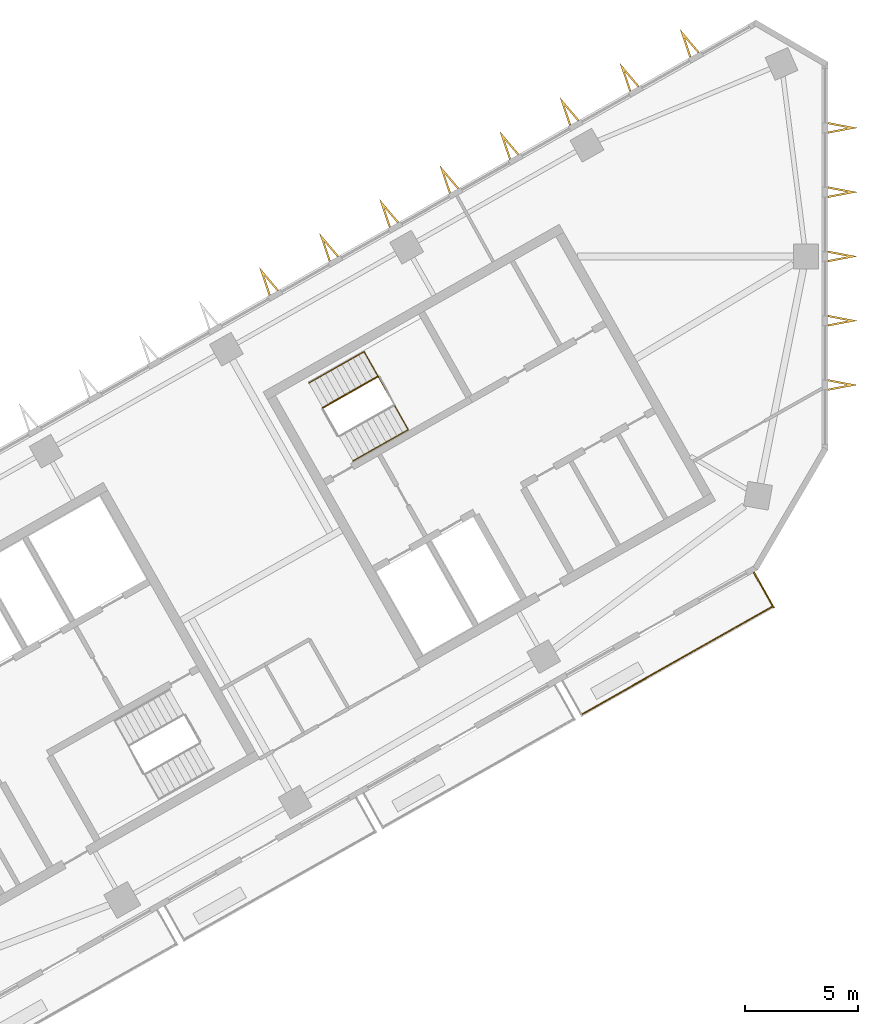
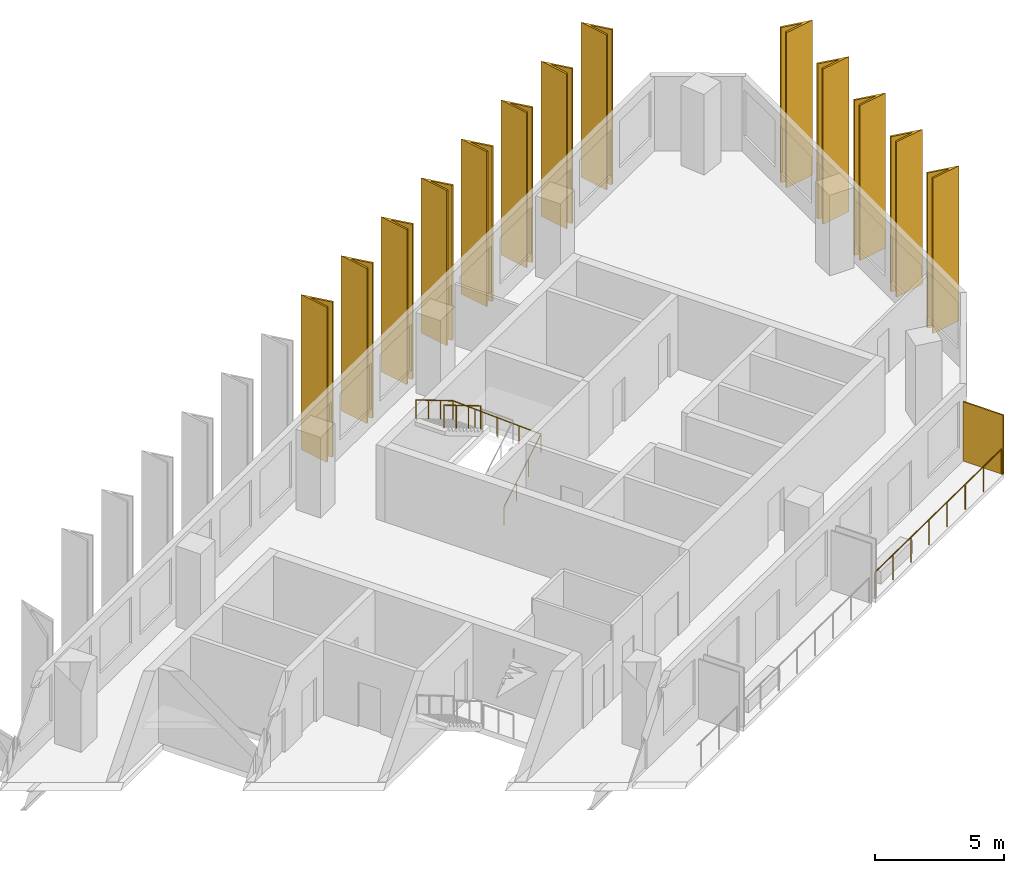
# One storey, part 7 of 8: 14 shading devices, 3 railings.
"""IFC4 building model written with IfcOpenShell, lengths in metres."""

from ifc_helpers import new_model, si_unit, direction, frame, origin, origin_2d, place, context, subcontext, project, spatial, polyline, rectangle, circle, outline, extrude, material, layer, layer_set, type_object, element, save


model = new_model("IFC4")

# Units and contexts
model_context = context("Model", 3, precision=1e-05, world=origin(), true_north=direction((0.0, 1.0)))
body_context = subcontext(model_context, "Body", "Model", "MODEL_VIEW")
ifc_project = project(units=[si_unit("LENGTHUNIT", "METRE"), si_unit("AREAUNIT", "SQUARE_METRE"), si_unit("VOLUMEUNIT", "CUBIC_METRE"), si_unit("PLANEANGLEUNIT", "RADIAN"), si_unit("MASSUNIT", "GRAM", prefix="KILO")], contexts=[model_context])

# Site, building, storey
site_placement = place(None, origin())
site = spatial("IfcSite", under=ifc_project, at=site_placement, CompositionType="ELEMENT")
building_placement = place(site_placement, origin())
building = spatial("IfcBuilding", under=site, at=building_placement, Name="Binnacle Exchange Tower", CompositionType="ELEMENT")
storey_placement = place(building_placement, frame((0.0, 0.0, 293.10009765625)))
storey = spatial("IfcBuildingStorey", under=building, at=storey_placement, Name="L65", CompositionType="ELEMENT", Elevation=293.10009765625)

# Railing
ifc_material_1 = material(Name="Bronze anodised aluminium frame", Category="aluminium")
railing_type_1 = type_object("IfcRailingType", Name="GUARD 1200", PredefinedType="GUARDRAIL", material=ifc_material_1)
railing_1_placement = place(storey_placement, frame((-10.7177734375, 39.81640625, 0.0)))
element("IfcRailing", 1, at=railing_1_placement, inside=storey, type_object=railing_type_1, Name="Balcony guard H07-B03 L65", PredefinedType="GUARDRAIL", context=body_context, shape_type="SweptSolid", body=[
    extrude(circle(Radius=0.02392578125, at=origin_2d()), frame((0.0, 0.0, 1.17578125), z_axis=(0.870353035673, 0.492428262079, 0.0), x_axis=(-0.492428262079, 0.870353035673, 0.0)), (0.0, 0.0, 1.0), 9.64794921875),
    extrude(circle(Radius=0.02099609375, at=origin_2d()), origin(), (0.0, 0.0, 1.0), 1.15185546875),
    extrude(circle(Radius=0.02099609375, at=origin_2d()), frame((1.19970703125, 0.6787109375, 0.0)), (0.0, 0.0, 1.0), 1.15185546875),
    extrude(circle(Radius=0.02099609375, at=origin_2d()), frame((2.399169921875, 1.357421875, 0.0)), (0.0, 0.0, 1.0), 1.15185546875),
    extrude(circle(Radius=0.02099609375, at=origin_2d()), frame((3.598876953125, 2.0361328125, 0.0)), (0.0, 0.0, 1.0), 1.15185546875),
    extrude(circle(Radius=0.02099609375, at=origin_2d()), frame((4.79833984375, 2.71484375, 0.0)), (0.0, 0.0, 1.0), 1.15185546875),
    extrude(circle(Radius=0.02099609375, at=origin_2d()), frame((5.998046875, 3.3935546875, 0.0)), (0.0, 0.0, 1.0), 1.15185546875),
    extrude(circle(Radius=0.02099609375, at=origin_2d()), frame((7.197509765625, 4.072265625, 0.0)), (0.0, 0.0, 1.0), 1.15185546875),
    extrude(circle(Radius=0.02099609375, at=origin_2d()), frame((8.397216796875, 4.7509765625, 0.0)), (0.0, 0.0, 1.0), 1.15185546875),
])

# Shading device
ifc_material_2 = material(Name="Bronze aluminium louvre", Category="aluminium")
ifc_layer = layer(ifc_material_2, 0.06005859375)
ifc_layer_set = layer_set([ifc_layer], Name="PLANTED SCREEN 60x2800")
shading_device_type_1 = type_object("IfcShadingDeviceType", Name="PLANTED SCREEN 60x2800", PredefinedType="USERDEFINED", material=ifc_layer_set)
shading_device_1_placement = place(storey_placement, frame((-2.697998046875, 45.2958984375, 0.0), z_axis=(0.0, 0.0, 1.0), x_axis=(0.87035569594, 0.492423560103, 0.0)))
element("IfcShadingDevice", 2, at=shading_device_1_placement, inside=storey, type_object=shading_device_type_1, Name="Planted screen H07-B03b L65", ObjectType="SCREEN", PredefinedType="USERDEFINED", context=body_context, shape_type="SweptSolid", body=[
    extrude(rectangle(XDim=0.06005859375, YDim=1.800048828125, at=origin_2d()), origin(), (0.0, 0.0, 1.0), 2.800048828125),
])

# Railings
ifc_material_3 = material(Name="Steel guard rail", Category="steel")
railing_type_2 = type_object("IfcRailingType", Name="STAIR GUARD 1100", PredefinedType="GUARDRAIL", material=ifc_material_3)
railing_2_placement = place(storey_placement, frame((-19.70068359375, 54.71337890625, 2.072509765625)))
element("IfcRailing", 3, at=railing_2_placement, inside=storey, type_object=railing_type_2, Name="L65 STC1 stair guard 2", PredefinedType="GUARDRAIL", context=body_context, shape_type="SweptSolid", body=[
    extrude(circle(Radius=0.02392578125, at=origin_2d()), frame((0.0, 0.0, 1.076171875), z_axis=(-0.740760999345, -0.419062048017, 0.525033467278), x_axis=(0.492387636113, -0.870376019777, 0.0)), (0.0, 0.0, 1.0), 3.289794921875),
    extrude(circle(Radius=0.02099609375, at=origin_2d()), origin(), (0.0, 0.0, 1.0), 1.052001953125),
    extrude(circle(Radius=0.02099609375, at=origin_2d()), frame((-0.812255859375, -0.45947265625, 0.57568359375)), (0.0, 0.0, 1.0), 1.052001953125),
    extrude(circle(Radius=0.02099609375, at=origin_2d()), frame((-1.624755859375, -0.919189453125, 1.151611328125)), (0.0, 0.0, 1.0), 1.052001953125),
    extrude(circle(Radius=0.02099609375, at=origin_2d()), frame((-2.43701171875, -1.378662109375, 1.727294921875)), (0.0, 0.0, 1.0), 1.052001953125),
])
ifc_material_4 = material(Name="Steel handrail", Category="steel")
railing_type_3 = type_object("IfcRailingType", Name="STAIR HANDRAIL 900", PredefinedType="HANDRAIL", material=ifc_material_4)
railing_3_placement = place(storey_placement, frame((-20.808349609375, 50.984619140625, 0.172607421875)))
element("IfcRailing", 4, at=railing_3_placement, inside=storey, type_object=railing_type_3, Name="L65 STC1 stair handrail 1", PredefinedType="HANDRAIL", context=body_context, shape_type="SweptSolid", body=[
    extrude(circle(Radius=0.02392578125, at=origin_2d()), frame((0.0, 0.0, 0.8759765625), z_axis=(0.740737961854, 0.419123222656, 0.525017138862), x_axis=(-0.492453686477, 0.870338650569, 0.0)), (0.0, 0.0, 1.0), 3.2900390625),
    extrude(circle(Radius=0.02392578125, at=origin_2d()), frame((2.43701171875, 1.37890625, 2.60302734375), z_axis=(-0.49197058795, 0.869516486623, 0.043657989918), x_axis=(-0.87034633103, -0.492440112159, 0.0)), (0.0, 0.0, 1.0), 3.95361328125),
    extrude(circle(Radius=0.02392578125, at=origin_2d()), frame((0.491943359375, 4.816650390625, 2.77587890625), z_axis=(-0.740760999345, -0.419062048017, 0.525033467278), x_axis=(0.492387636113, -0.870376019777, 0.0)), (0.0, 0.0, 1.0), 3.289794921875),
    extrude(circle(Radius=0.02099609375, at=origin_2d()), origin(), (0.0, 0.0, 1.0), 0.851806640625),
    extrude(circle(Radius=0.02099609375, at=origin_2d()), frame((0.812255859375, 0.459716796875, 0.57568359375)), (0.0, 0.0, 1.0), 0.851806640625),
    extrude(circle(Radius=0.02099609375, at=origin_2d()), frame((1.624755859375, 0.919189453125, 1.151611328125)), (0.0, 0.0, 1.0), 0.851806640625),
    extrude(circle(Radius=0.02099609375, at=origin_2d()), frame((2.43701171875, 1.37890625, 1.727294921875)), (0.0, 0.0, 1.0), 0.851806640625),
    extrude(circle(Radius=0.02099609375, at=origin_2d()), frame((1.95068359375, 2.23828125, 1.7705078125)), (0.0, 0.0, 1.0), 0.851806640625),
    extrude(circle(Radius=0.02099609375, at=origin_2d()), frame((1.46435546875, 3.09765625, 1.8134765625)), (0.0, 0.0, 1.0), 0.851806640625),
    extrude(circle(Radius=0.02099609375, at=origin_2d()), frame((0.978271484375, 3.957275390625, 1.856689453125)), (0.0, 0.0, 1.0), 0.851806640625),
    extrude(circle(Radius=0.02099609375, at=origin_2d()), frame((0.491943359375, 4.816650390625, 1.89990234375)), (0.0, 0.0, 1.0), 0.851806640625),
    extrude(circle(Radius=0.02099609375, at=origin_2d()), frame((-0.3203125, 4.357177734375, 2.4755859375)), (0.0, 0.0, 1.0), 0.851806640625),
    extrude(circle(Radius=0.02099609375, at=origin_2d()), frame((-1.1328125, 3.8974609375, 3.051513671875)), (0.0, 0.0, 1.0), 0.851806640625),
    extrude(circle(Radius=0.02099609375, at=origin_2d()), frame((-1.945068359375, 3.43798828125, 3.627197265625)), (0.0, 0.0, 1.0), 0.851806640625),
])

# Shading devices
ifc_material_5 = material(Name="Bronze aluminium cladding", Category="aluminium")
shading_device_type_2 = type_object("IfcShadingDeviceType", Name="V FIN 1300 DEEP x 7320 HIGH", PredefinedType="USERDEFINED", material=ifc_material_5)
shading_device_2_placement = place(storey_placement, origin())
element("IfcShadingDevice", 5, at=shading_device_2_placement, inside=storey, type_object=shading_device_type_2, Name="V fin FN-H01-01 L65", ObjectType="FIN", PredefinedType="USERDEFINED", context=body_context, shape_type="SweptSolid", body=[
    extrude(outline(polyline([(0.125, 54.083251953125), (1.425048828125, 54.333251953125), (0.125, 54.583251953125), (0.125, 54.501708984375), (1.00146484375, 54.333251953125), (0.125, 54.164794921875), (0.125, 54.083251953125)])), origin(), (0.0, 0.0, 1.0), 7.31982421875),
])
shading_device_3_placement = place(storey_placement, origin())
element("IfcShadingDevice", 6, at=shading_device_3_placement, inside=storey, type_object=shading_device_type_2, Name="V fin FN-H01-02 L65", ObjectType="FIN", PredefinedType="USERDEFINED", context=body_context, shape_type="SweptSolid", body=[
    extrude(outline(polyline([(0.125, 56.916748046875), (1.425048828125, 57.166748046875), (0.125, 57.416748046875), (0.125, 57.335205078125), (1.00146484375, 57.166748046875), (0.125, 56.998291015625), (0.125, 56.916748046875)])), origin(), (0.0, 0.0, 1.0), 7.31982421875),
])
shading_device_4_placement = place(storey_placement, origin())
element("IfcShadingDevice", 7, at=shading_device_4_placement, inside=storey, type_object=shading_device_type_2, Name="V fin FN-H01-03 L65", ObjectType="FIN", PredefinedType="USERDEFINED", context=body_context, shape_type="SweptSolid", body=[
    extrude(outline(polyline([(0.125, 59.75), (1.425048828125, 60.0), (0.125, 60.25), (0.125, 60.16845703125), (1.00146484375, 60.0), (0.125, 59.83154296875), (0.125, 59.75)])), origin(), (0.0, 0.0, 1.0), 7.31982421875),
])
shading_device_5_placement = place(storey_placement, origin())
element("IfcShadingDevice", 8, at=shading_device_5_placement, inside=storey, type_object=shading_device_type_2, Name="V fin FN-H01-04 L65", ObjectType="FIN", PredefinedType="USERDEFINED", context=body_context, shape_type="SweptSolid", body=[
    extrude(outline(polyline([(0.125, 62.583251953125), (1.425048828125, 62.833251953125), (0.125, 63.083251953125), (0.125, 63.001708984375), (1.00146484375, 62.833251953125), (0.125, 62.664794921875), (0.125, 62.583251953125)])), origin(), (0.0, 0.0, 1.0), 7.31982421875),
])
shading_device_6_placement = place(storey_placement, origin())
element("IfcShadingDevice", 9, at=shading_device_6_placement, inside=storey, type_object=shading_device_type_2, Name="V fin FN-H01-05 L65", ObjectType="FIN", PredefinedType="USERDEFINED", context=body_context, shape_type="SweptSolid", body=[
    extrude(outline(polyline([(0.125, 65.416748046875), (1.425048828125, 65.666748046875), (0.125, 65.916748046875), (0.125, 65.835205078125), (1.00146484375, 65.666748046875), (0.125, 65.498291015625), (0.125, 65.416748046875)])), origin(), (0.0, 0.0, 1.0), 7.31982421875),
])
shading_device_7_placement = place(storey_placement, origin())
element("IfcShadingDevice", 10, at=shading_device_7_placement, inside=storey, type_object=shading_device_type_2, Name="V fin FN-H03-01 L65", ObjectType="FIN", PredefinedType="USERDEFINED", context=body_context, shape_type="SweptSolid", body=[
    extrude(outline(polyline([(-5.538818359375, 69.009765625), (-6.396728515625, 70.018310546875), (-5.97412109375, 68.763671875), (-5.9033203125, 68.8037109375), (-6.18798828125, 69.6494140625), (-5.60986328125, 68.9697265625), (-5.538818359375, 69.009765625)])), origin(), (0.0, 0.0, 1.0), 7.31982421875),
])
shading_device_8_placement = place(storey_placement, origin())
element("IfcShadingDevice", 11, at=shading_device_8_placement, inside=storey, type_object=shading_device_type_2, Name="V fin FN-H03-02 L65", ObjectType="FIN", PredefinedType="USERDEFINED", context=body_context, shape_type="SweptSolid", body=[
    extrude(outline(polyline([(-8.187744140625, 67.51123046875), (-9.04541015625, 68.51953125), (-8.622802734375, 67.264892578125), (-8.552001953125, 67.30517578125), (-8.8369140625, 68.15087890625), (-8.258544921875, 67.47119140625), (-8.187744140625, 67.51123046875)])), origin(), (0.0, 0.0, 1.0), 7.31982421875),
])
shading_device_9_placement = place(storey_placement, origin())
element("IfcShadingDevice", 12, at=shading_device_9_placement, inside=storey, type_object=shading_device_type_2, Name="V fin FN-H03-03 L65", ObjectType="FIN", PredefinedType="USERDEFINED", context=body_context, shape_type="SweptSolid", body=[
    extrude(outline(polyline([(-10.83642578125, 66.0126953125), (-11.694091796875, 67.02099609375), (-11.271484375, 65.766357421875), (-11.20068359375, 65.806396484375), (-11.485595703125, 66.65234375), (-10.9072265625, 65.972412109375), (-10.83642578125, 66.0126953125)])), origin(), (0.0, 0.0, 1.0), 7.31982421875),
])
shading_device_10_placement = place(storey_placement, origin())
element("IfcShadingDevice", 13, at=shading_device_10_placement, inside=storey, type_object=shading_device_type_2, Name="V fin FN-H03-04 L65", ObjectType="FIN", PredefinedType="USERDEFINED", context=body_context, shape_type="SweptSolid", body=[
    extrude(outline(polyline([(-13.485107421875, 64.51416015625), (-14.343017578125, 65.5224609375), (-13.92041015625, 64.267822265625), (-13.849365234375, 64.30810546875), (-14.13427734375, 65.15380859375), (-13.555908203125, 64.47412109375), (-13.485107421875, 64.51416015625)])), origin(), (0.0, 0.0, 1.0), 7.31982421875),
])
shading_device_11_placement = place(storey_placement, origin())
element("IfcShadingDevice", 14, at=shading_device_11_placement, inside=storey, type_object=shading_device_type_2, Name="V fin FN-H03-05 L65", ObjectType="FIN", PredefinedType="USERDEFINED", context=body_context, shape_type="SweptSolid", body=[
    extrude(outline(polyline([(-16.1337890625, 63.015380859375), (-16.99169921875, 64.02392578125), (-16.569091796875, 62.769287109375), (-16.498046875, 62.809326171875), (-16.782958984375, 63.6552734375), (-16.20458984375, 62.975341796875), (-16.1337890625, 63.015380859375)])), origin(), (0.0, 0.0, 1.0), 7.31982421875),
])
shading_device_12_placement = place(storey_placement, origin())
element("IfcShadingDevice", 15, at=shading_device_12_placement, inside=storey, type_object=shading_device_type_2, Name="V fin FN-H03-06 L65", ObjectType="FIN", PredefinedType="USERDEFINED", context=body_context, shape_type="SweptSolid", body=[
    extrude(outline(polyline([(-18.78271484375, 61.516845703125), (-19.640380859375, 62.525390625), (-19.2177734375, 61.270751953125), (-19.14697265625, 61.310791015625), (-19.431640625, 62.156494140625), (-18.853515625, 61.476806640625), (-18.78271484375, 61.516845703125)])), origin(), (0.0, 0.0, 1.0), 7.31982421875),
])
shading_device_13_placement = place(storey_placement, origin())
element("IfcShadingDevice", 16, at=shading_device_13_placement, inside=storey, type_object=shading_device_type_2, Name="V fin FN-H03-07 L65", ObjectType="FIN", PredefinedType="USERDEFINED", context=body_context, shape_type="SweptSolid", body=[
    extrude(outline(polyline([(-21.431396484375, 60.018310546875), (-22.2890625, 61.026611328125), (-21.866455078125, 59.772216796875), (-21.795654296875, 59.812255859375), (-22.080322265625, 60.657958984375), (-21.502197265625, 59.978271484375), (-21.431396484375, 60.018310546875)])), origin(), (0.0, 0.0, 1.0), 7.31982421875),
])
shading_device_14_placement = place(storey_placement, origin())
element("IfcShadingDevice", 17, at=shading_device_14_placement, inside=storey, type_object=shading_device_type_2, Name="V fin FN-H03-08 L65", ObjectType="FIN", PredefinedType="USERDEFINED", context=body_context, shape_type="SweptSolid", body=[
    extrude(outline(polyline([(-24.080078125, 58.519775390625), (-24.93798828125, 59.528076171875), (-24.515380859375, 58.2734375), (-24.4443359375, 58.313720703125), (-24.729248046875, 59.159423828125), (-24.15087890625, 58.4794921875), (-24.080078125, 58.519775390625)])), origin(), (0.0, 0.0, 1.0), 7.31982421875),
])

save(model, "model.ifc")
